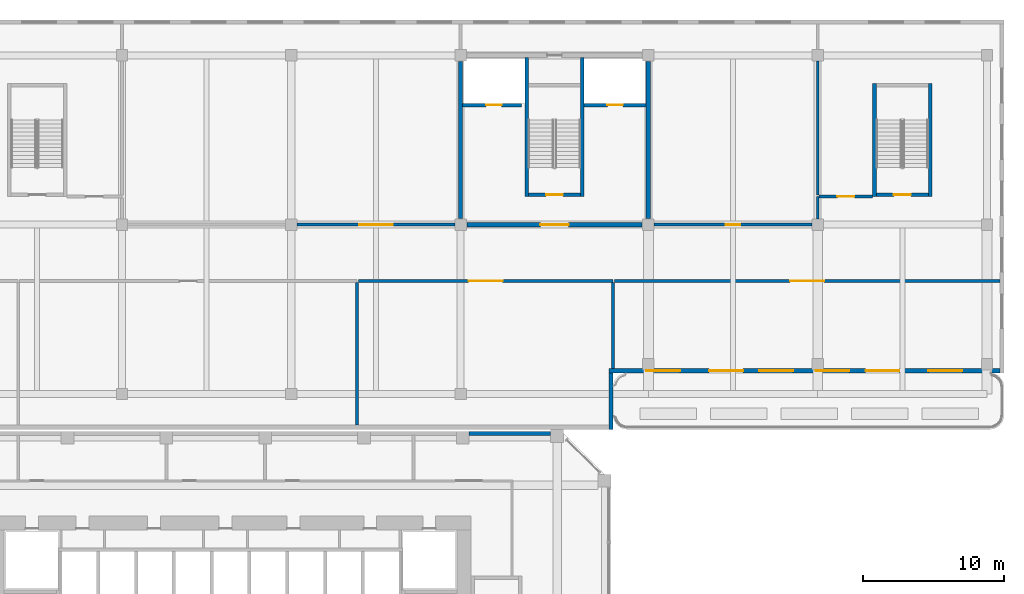
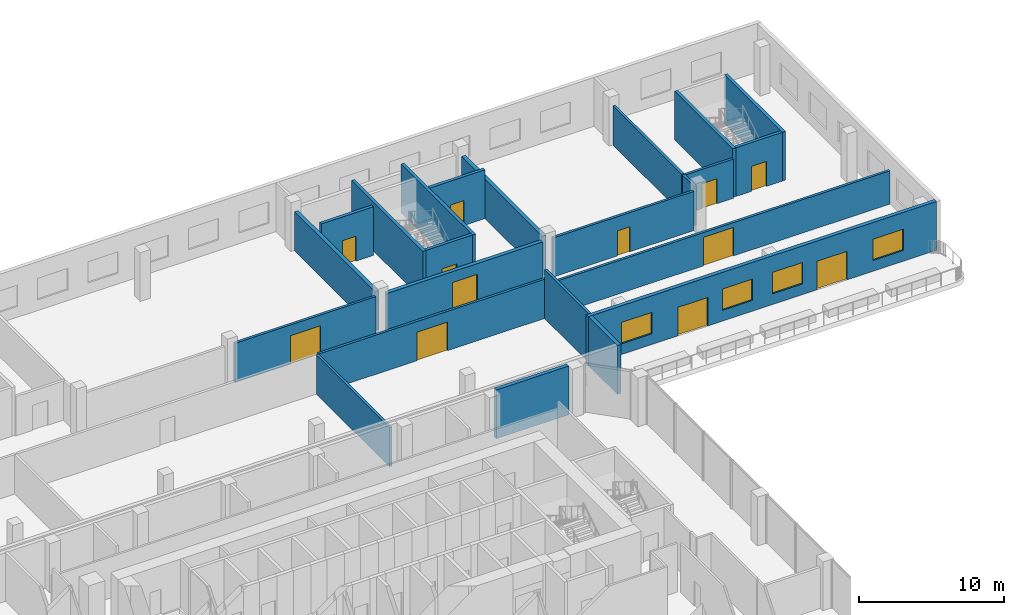
# One storey, part 24 of 35: 23 walls, 12 doors, 4 windows, 16 openings.
"""IFC4 building model written with IfcOpenShell, lengths in metres."""

import ifcopenshell
import ifcopenshell.guid

model = None  # the IFC model being written
_history = None  # IfcOwnerHistory: only IFC2X3 demands one
_inside = {}  # id of a spatial element -> (the spatial element, [elements in it])
_under = {}  # id of a project, library or spatial element -> (it, [spatial elements below it])
_declared = {}  # id of a project -> (the project, [libraries it declares])
_typed = {}  # id of a type object -> (the type object, [elements of that type])
_made_of = {}  # id of a material, layer set ... -> (it, [elements and type objects made of it])


def new_model(schema):
    """Start an empty IFC model of exactly this schema.

    Asked for "IFC4X3", IfcOpenShell would pick the latest addendum, in which some entities
    have other attributes; the version numbers below select the first issue.
    IFC2X3 requires an IfcOwnerHistory on every rooted entity: one is made here for all.
    """
    global model, _history
    if schema == "IFC4X3":
        model = ifcopenshell.file(schema_version=(4, 3, 0, 0))
    else:
        model = ifcopenshell.file(schema=schema)
    _inside.clear()
    _under.clear()
    _declared.clear()
    _typed.clear()
    _made_of.clear()
    _history = None
    if model.schema == "IFC2X3":
        org = make("IfcOrganization", Name="unknown")
        user = make(
            "IfcPersonAndOrganization",
            ThePerson=make("IfcPerson", FamilyName="unknown"),
            TheOrganization=org,
        )
        app = make(
            "IfcApplication",
            ApplicationDeveloper=org,
            Version="unknown",
            ApplicationFullName="unknown",
            ApplicationIdentifier="unknown",
        )
        _history = make(
            "IfcOwnerHistory",
            OwningUser=user,
            OwningApplication=app,
            ChangeAction="ADDED",
            CreationDate=0,
        )
    return model


def make(cls, **values):
    """One entity of the class cls with the attributes given. An attribute that is None is left unset."""
    return model.create_entity(
        cls, **{name: value for name, value in values.items() if value is not None}
    )


def rooted(cls, **values):
    """An entity with a GlobalId (a new one), such as an element, a storey or a relation."""
    return make(cls, GlobalId=ifcopenshell.guid.new(), OwnerHistory=_history, **values)


def si_unit(unit_type, name, prefix=None):
    """IfcSIUnit, for example si_unit("LENGTHUNIT", "METRE", prefix="MILLI")."""
    return make("IfcSIUnit", UnitType=unit_type, Prefix=prefix, Name=name)


def assignment(units):
    """IfcUnitAssignment: the units of a project."""
    return None if units is None else make("IfcUnitAssignment", Units=units)


def point(xyz):
    """IfcCartesianPoint."""
    return None if xyz is None else make("IfcCartesianPoint", Coordinates=xyz)


def direction(xyz):
    """IfcDirection."""
    return None if xyz is None else make("IfcDirection", DirectionRatios=xyz)


def frame(location, z_axis=None, x_axis=None):
    """IfcAxis2Placement3D, a coordinate frame: its origin and axes. An axis left out is left unset."""
    return make(
        "IfcAxis2Placement3D",
        Location=point(location),
        Axis=direction(z_axis),
        RefDirection=direction(x_axis),
    )


def frame_2d(location, x_axis=None):
    """IfcAxis2Placement2D, a coordinate frame in the plane: its origin and x axis."""
    return make(
        "IfcAxis2Placement2D", Location=point(location), RefDirection=direction(x_axis)
    )


def origin():
    """The frame at (0, 0, 0) with its axes left unset."""
    return frame((0.0, 0.0, 0.0))


def place(relative_to, where):
    """IfcLocalPlacement: puts the frame where relative to a parent placement (None: the world)."""
    return make(
        "IfcLocalPlacement", PlacementRelTo=relative_to, RelativePlacement=where
    )


def context(
    kind, dimensions, precision=None, world=None, true_north=None, identifier=None
):
    """IfcGeometricRepresentationContext, for example the 3D "Model" context."""
    return make(
        "IfcGeometricRepresentationContext",
        ContextIdentifier=identifier,
        ContextType=kind,
        CoordinateSpaceDimension=dimensions,
        Precision=precision,
        WorldCoordinateSystem=world,
        TrueNorth=true_north,
    )


def subcontext(parent, identifier, kind, view, scale=None):
    """IfcGeometricRepresentationSubContext, for example "Body" below "Model"."""
    return make(
        "IfcGeometricRepresentationSubContext",
        ContextIdentifier=identifier,
        ContextType=kind,
        ParentContext=parent,
        TargetScale=scale,
        TargetView=view,
    )


def project(units=None, contexts=None):
    """IfcProject with its units and contexts."""
    return rooted(
        "IfcProject",
        Name="project",
        RepresentationContexts=contexts,
        UnitsInContext=assignment(units),
    )


def spatial(cls, under=None, at=None, **own):
    """A site, building, storey or space (cls), placed at a placement, below another one or the project."""
    s = rooted(cls, ObjectPlacement=at, **own)
    if under is not None:
        _under.setdefault(under.id(), (under, []))[1].append(s)
    return s


def profile(cls, at=None, kind="AREA", **sizes):
    """A parametric profile (cls). Its sizes go by their IFC names, for example OverallWidth=200.0."""
    return make(cls, ProfileType=kind, Position=at, **sizes)


def rectangle(**sizes):
    """IfcRectangleProfileDef."""
    return profile("IfcRectangleProfileDef", **sizes)


def extrude(swept, where, along, depth):
    """IfcExtrudedAreaSolid: the profile swept, set in the frame where, extruded along a direction by depth."""
    return make(
        "IfcExtrudedAreaSolid",
        SweptArea=swept,
        Position=where,
        ExtrudedDirection=direction(along),
        Depth=depth,
    )


def shape(context_of_items, identifier, shape_type, items):
    """IfcShapeRepresentation: the items that make up one representation, for example the "Body"."""
    return make(
        "IfcShapeRepresentation",
        ContextOfItems=context_of_items,
        RepresentationIdentifier=identifier,
        RepresentationType=shape_type,
        Items=items,
    )


def source(mapping_origin, context_of_items, identifier, shape_type, items):
    """IfcRepresentationMap: a shape defined once, which mapped items show again and again."""
    return make(
        "IfcRepresentationMap",
        MappingOrigin=mapping_origin,
        MappedRepresentation=shape(context_of_items, identifier, shape_type, items),
    )


def transform(
    local_origin,
    x_axis=None,
    y_axis=None,
    z_axis=None,
    scale=None,
    scale2=None,
    scale3=None,
    uniform=True,
):
    """IfcCartesianTransformationOperator3D, or its non-uniform kind. x_axis, y_axis, z_axis: its Axis1, 2, 3."""
    if uniform:
        return make(
            "IfcCartesianTransformationOperator3D",
            Axis1=direction(x_axis),
            Axis2=direction(y_axis),
            LocalOrigin=point(local_origin),
            Scale=scale,
            Axis3=direction(z_axis),
        )
    return make(
        "IfcCartesianTransformationOperator3DnonUniform",
        Axis1=direction(x_axis),
        Axis2=direction(y_axis),
        LocalOrigin=point(local_origin),
        Scale=scale,
        Axis3=direction(z_axis),
        Scale2=scale2,
        Scale3=scale3,
    )


def mapped(mapping_source, mapping_target):
    """IfcMappedItem: shows the shape of a source again, moved by a transform."""
    return make(
        "IfcMappedItem", MappingSource=mapping_source, MappingTarget=mapping_target
    )


def material(Name=None, Category=None):
    """IfcMaterial."""
    return make("IfcMaterial", Name=Name, Category=Category)


def layer(
    of_material, thickness, ventilated=None, Name=None, Category=None, Priority=None
):
    """IfcMaterialLayer: one layer of a wall or slab, of a material (None: an air gap)."""
    return make(
        "IfcMaterialLayer",
        Material=of_material,
        LayerThickness=thickness,
        IsVentilated=ventilated,
        Name=Name,
        Category=Category,
        Priority=Priority,
    )


def layer_set(layers, Name=None):
    """IfcMaterialLayerSet."""
    return make("IfcMaterialLayerSet", MaterialLayers=layers, LayerSetName=Name)


def made_of(thing, what):
    """Note that an element or type object is made of a material, layer set ...; save() writes the relation."""
    if what is not None:
        _made_of.setdefault(what.id(), (what, []))[1].append(thing)
    return thing


def type_object(cls, material=None, **own):
    """A type object (cls), such as IfcWallType, which elements share."""
    return made_of(rooted(cls, **own), material)


def element(
    cls,
    number,
    at=None,
    inside=None,
    cuts=None,
    type_object=None,
    material=None,
    context=None,
    identifier="Body",
    shape_type=None,
    held_by="IfcProductDefinitionShape",
    body=None,
    shapes=None,
    **own,
):
    """One element of the class cls, such as IfcWall. Its Tag is "e" and its number.

    at: its placement. inside: the storey or other place that contains it. cuts: it is an
    opening in that element (IfcRelVoidsElement). A single representation is given by context,
    identifier, shape_type and body (its items); several are given by shapes. held_by: the class
    of the entity that holds the representations. save() writes the other relations.
    """
    e = rooted(cls, Tag="e%d" % number, ObjectPlacement=at, **own)
    if body is not None:
        shapes = [shape(context, identifier, shape_type, body)]
    if shapes is not None:
        e.Representation = make(held_by, Representations=shapes)
    if inside is not None:
        _inside.setdefault(inside.id(), (inside, []))[1].append(e)
    if cuts is not None:
        rooted(
            "IfcRelVoidsElement", RelatingBuildingElement=cuts, RelatedOpeningElement=e
        )
    if type_object is not None:
        _typed.setdefault(type_object.id(), (type_object, []))[1].append(e)
    return made_of(e, material)


def fill(opening, filler):
    """IfcRelFillsElement: the door or window that sits in an opening."""
    return rooted(
        "IfcRelFillsElement",
        RelatingOpeningElement=opening,
        RelatedBuildingElement=filler,
    )


def aggregate(whole, parts):
    """IfcRelAggregates: a whole, such as a stair, and the parts it consists of."""
    return rooted("IfcRelAggregates", RelatingObject=whole, RelatedObjects=parts)


def save(model, path):
    """Write the relations noted so far, then the file.

    IfcRelAggregates (storeys below a building ...), IfcRelContainedInSpatialStructure (elements
    in a storey), IfcRelDefinesByType, IfcRelAssociatesMaterial and IfcRelDeclares: one each for
    every whole, place, type object, material and project.
    """
    for whole, parts in _under.values():
        aggregate(whole, parts)
    for where, things in _inside.values():
        rooted(
            "IfcRelContainedInSpatialStructure",
            RelatedElements=things,
            RelatingStructure=where,
        )
    for kind, things in _typed.values():
        rooted("IfcRelDefinesByType", RelatedObjects=things, RelatingType=kind)
    for what, things in _made_of.values():
        rooted("IfcRelAssociatesMaterial", RelatedObjects=things, RelatingMaterial=what)
    for by, libraries in _declared.values():
        rooted("IfcRelDeclares", RelatingContext=by, RelatedDefinitions=libraries)
    model.write(path)


model = new_model("IFC4")

# Units and contexts
model_context = context("Model", 3, precision=1e-05, world=origin(), true_north=direction((0.0, 1.0)))
body_context = subcontext(model_context, "Body", "Model", "MODEL_VIEW")
ifc_project = project(units=[si_unit("LENGTHUNIT", "METRE"), si_unit("AREAUNIT", "SQUARE_METRE"), si_unit("VOLUMEUNIT", "CUBIC_METRE"), si_unit("PLANEANGLEUNIT", "RADIAN"), si_unit("MASSUNIT", "GRAM", prefix="KILO")], contexts=[model_context])

# Site, building, storey
site_placement = place(None, origin())
site = spatial("IfcSite", under=ifc_project, at=site_placement, CompositionType="ELEMENT")
building_placement = place(site_placement, origin())
building = spatial("IfcBuilding", under=site, at=building_placement, Name="Kilnfold Tower and Market Hall", CompositionType="ELEMENT")
storey_placement = place(building_placement, frame((0.0, 0.0, 13.5)))
storey = spatial("IfcBuildingStorey", under=building, at=storey_placement, Name="L02", CompositionType="ELEMENT", Elevation=13.5)

# Wall, opening, door
ifc_material_1 = material(Name="Concrete C50/60", Category="concrete")
ifc_layer_1 = layer(ifc_material_1, 0.25)
ifc_layer_set_1 = layer_set([ifc_layer_1], Name="Concrete C50/60")
wall_type_1 = type_object("IfcWallType", Name="HALL CORE WALL 250", PredefinedType="SHEAR", material=ifc_layer_set_1)
shared_shape_1 = source(origin(), body_context, "Body", "SweptSolid", [
    extrude(rectangle(XDim=3.699951171875, YDim=0.25, at=frame_2d((1.85009765625, 0.0))), origin(), (0.0, 0.0, 1.0), 4.10009765625),
])
wall_1_placement = place(storey_placement, frame((46.800048828125, 44.77490234375, 0.0), z_axis=(0.0, 0.0, 1.0), x_axis=(1.0, 0.0, 0.0)))
wall_1 = element("IfcWall", 1, at=wall_1_placement, inside=storey, type_object=wall_type_1, Name="Core wall MS6", PredefinedType="SHEAR", context=body_context, shape_type="MappedRepresentation", body=[
    mapped(shared_shape_1, transform((0.0, 0.0, 0.0))),
])
opening_1_placement = place(wall_1_placement, frame((1.25, 0.0, 0.0)))
opening_1 = element("IfcOpeningElement", 2, at=opening_1_placement, cuts=wall_1, Name="Opening MD9-60", PredefinedType="OPENING", context=body_context, shape_type="SweptSolid", body=[
    extrude(rectangle(XDim=1.199951171875, YDim=2.10009765625, at=frame_2d((0.60009765625, 1.050048828125))), frame((0.0, 0.135009765625, 0.0), z_axis=(0.0, -1.0, 0.0), x_axis=(1.0, 0.0, 0.0)), (0.0, 0.0, 1.0), 0.27001953125),
])
ifc_material_2 = material(Name="Steel S355", Category="steel")
door_type_1 = type_object("IfcDoorType", Name="HALL DOOR STAIR 1200X2100 FD60", OperationType="NOTDEFINED", PredefinedType="DOOR", material=ifc_material_2)
door_1_placement = place(opening_1_placement, origin())
door_1 = element("IfcDoor", 3, at=door_1_placement, inside=storey, type_object=door_type_1, Name="Door MD9-60", OperationType="DOUBLE_DOOR_SINGLE_SWING", OverallHeight=2.10009765625, OverallWidth=1.199951171875, PredefinedType="DOOR", context=body_context, shape_type="SweptSolid", body=[
    extrude(rectangle(XDim=1.199951171875, YDim=2.10009765625, at=frame_2d((0.60009765625, 1.050048828125))), frame((0.0, 0.02490234375, 0.0), z_axis=(0.0, -1.0, 0.0), x_axis=(1.0, 0.0, 0.0)), (0.0, 0.0, 1.0), 0.050048828125),
])
fill(opening_1, door_1)

shared_shape_2 = source(origin(), body_context, "Body", "SweptSolid", [
    extrude(rectangle(XDim=3.7001953125, YDim=0.25, at=frame_2d((1.85009765625, 0.0))), origin(), (0.0, 0.0, 1.0), 4.10009765625),
])
wall_2_placement = place(storey_placement, frame((25.85009765625, 44.77490234375, 0.0), z_axis=(0.0, 0.0, 1.0), x_axis=(-1.0, 0.0, 0.0)))
wall_2 = element("IfcWall", 4, at=wall_2_placement, inside=storey, type_object=wall_type_1, Name="Core wall MH3", PredefinedType="SHEAR", context=body_context, shape_type="MappedRepresentation", body=[
    mapped(shared_shape_2, transform((0.0, 0.0, 0.0))),
])
opening_2_placement = place(wall_2_placement, frame((1.25, 0.0, 0.0)))
opening_2 = element("IfcOpeningElement", 5, at=opening_2_placement, cuts=wall_2, Name="Opening MD9-60", PredefinedType="OPENING", context=body_context, shape_type="SweptSolid", body=[
    extrude(rectangle(XDim=1.199951171875, YDim=2.10009765625, at=frame_2d((0.60009765625, 1.050048828125))), frame((0.0, 0.135009765625, 0.0), z_axis=(0.0, -1.0, 0.0), x_axis=(1.0, 0.0, 0.0)), (0.0, 0.0, 1.0), 0.27001953125),
])
door_2_placement = place(opening_2_placement, origin())
door_2 = element("IfcDoor", 6, at=door_2_placement, inside=storey, type_object=door_type_1, Name="Door MD9-60", OperationType="DOUBLE_DOOR_SINGLE_SWING", OverallHeight=2.10009765625, OverallWidth=1.199951171875, PredefinedType="DOOR", context=body_context, shape_type="SweptSolid", body=[
    extrude(rectangle(XDim=1.199951171875, YDim=2.10009765625, at=frame_2d((0.60009765625, 1.050048828125))), frame((0.0, 0.02490234375, 0.0), z_axis=(0.0, -1.0, 0.0), x_axis=(1.0, 0.0, 0.0)), (0.0, 0.0, 1.0), 0.050048828125),
])
fill(opening_2, door_2)

# Walls
shared_shape_3 = source(origin(), body_context, "Body", "SweptSolid", [
    extrude(rectangle(XDim=8.0, YDim=0.25, at=frame_2d((4.0, 0.0))), origin(), (0.0, 0.0, 1.0), 4.10009765625),
])
for number, where, z_axis, x_axis, name in (
    (7, (46.675048828125, 44.64990234375, 0.0), (0.0, 0.0, 1.0), (0.0, 1.0, 0.0), "Core wall MS6"),
    (8, (50.625, 44.64990234375, 0.0), (0.0, 0.0, 1.0), (0.0, 1.0, 0.0), "Core wall MS6"),
):
    element("IfcWall", number, at=place(storey_placement, frame(where, z_axis=z_axis, x_axis=x_axis)), inside=storey, type_object=wall_type_1, Name=name, PredefinedType="SHEAR", context=body_context, shape_type="MappedRepresentation", body=[
        mapped(shared_shape_3, transform((0.0, 0.0, 0.0))),
    ])
shared_shape_4 = source(origin(), body_context, "Body", "SweptSolid", [
    extrude(rectangle(XDim=9.85009765625, YDim=0.25, at=frame_2d((4.925048828125, 0.0))), origin(), (0.0, 0.0, 1.0), 4.10009765625),
])
for number, where, z_axis, x_axis, name in (
    (9, (25.97509765625, 54.5, 0.0), (0.0, 0.0, 1.0), (0.0, -1.0, 0.0), "Core wall MH3"),
    (10, (22.02490234375, 54.5, 0.0), (0.0, 0.0, 1.0), (0.0, -1.0, 0.0), "Core wall MH3"),
):
    element("IfcWall", number, at=place(storey_placement, frame(where, z_axis=z_axis, x_axis=x_axis)), inside=storey, type_object=wall_type_1, Name=name, PredefinedType="SHEAR", context=body_context, shape_type="MappedRepresentation", body=[
        mapped(shared_shape_4, transform((0.0, 0.0, 0.0))),
    ])
ifc_material_3 = material(Name="Concrete C50/60", Category="concrete")
ifc_layer_2 = layer(ifc_material_3, 0.300048828125)
ifc_layer_set_2 = layer_set([ifc_layer_2], Name="Concrete C50/60")
wall_type_2 = type_object("IfcWallType", Name="HALL CORE WALL 300", PredefinedType="SHEAR", material=ifc_layer_set_2)
shared_shape_5 = source(origin(), body_context, "Body", "SweptSolid", [
    extrude(rectangle(XDim=11.099853515625, YDim=0.300048828125, at=frame_2d((5.5498046875, 0.0))), origin(), (0.0, 0.0, 1.0), 3.300048828125),
])
for number, where, z_axis, x_axis, name in (
    (11, (30.64990234375, 54.199951171875, 0.0), (0.0, 0.0, 1.0), (0.0, -1.0, 0.0), "Core wall MH3"),
    (12, (17.35009765625, 54.199951171875, 0.0), (0.0, 0.0, 1.0), (0.0, -1.0, 0.0), "Core wall MH3"),
):
    element("IfcWall", number, at=place(storey_placement, frame(where, z_axis=z_axis, x_axis=x_axis)), inside=storey, type_object=wall_type_2, Name=name, PredefinedType="SHEAR", context=body_context, shape_type="MappedRepresentation", body=[
        mapped(shared_shape_5, transform((0.0, 0.0, 0.0))),
    ])

# Wall, opening, door
shared_shape_6 = source(origin(), body_context, "Body", "SweptSolid", [
    extrude(rectangle(XDim=4.39990234375, YDim=0.25, at=frame_2d((2.199951171875, 0.0))), origin(), (0.0, 0.0, 1.0), 4.10009765625),
])
wall_3_placement = place(storey_placement, frame((30.5, 51.125, 0.0), z_axis=(0.0, 0.0, 1.0), x_axis=(-1.0, 0.0, 0.0)))
wall_3 = element("IfcWall", 13, at=wall_3_placement, inside=storey, type_object=wall_type_1, Name="Core wall MH3", PredefinedType="SHEAR", context=body_context, shape_type="MappedRepresentation", body=[
    mapped(shared_shape_6, transform((0.0, 0.0, 0.0))),
])
opening_3_placement = place(wall_3_placement, frame((1.64990234375, 0.0, 0.0)))
opening_3 = element("IfcOpeningElement", 14, at=opening_3_placement, cuts=wall_3, Name="Opening LD", PredefinedType="OPENING", context=body_context, shape_type="SweptSolid", body=[
    extrude(rectangle(XDim=1.10009765625, YDim=2.10009765625, at=frame_2d((0.550048828125, 1.050048828125))), frame((0.0, 0.135009765625, 0.0), z_axis=(0.0, -1.0, 0.0), x_axis=(1.0, 0.0, 0.0)), (0.0, 0.0, 1.0), 0.27001953125),
])
ifc_material_4 = material(Name="Steel S355", Category="steel")
door_type_2 = type_object("IfcDoorType", Name="HALL LANDING DOOR 1100X2100 FD60", OperationType="NOTDEFINED", PredefinedType="DOOR", material=ifc_material_4)
door_3_placement = place(opening_3_placement, origin())
door_3 = element("IfcDoor", 15, at=door_3_placement, inside=storey, type_object=door_type_2, Name="Door LD", OperationType="SLIDING_TO_LEFT", OverallHeight=2.10009765625, OverallWidth=1.10009765625, PredefinedType="DOOR", context=body_context, shape_type="SweptSolid", body=[
    extrude(rectangle(XDim=1.10009765625, YDim=2.10009765625, at=frame_2d((0.550048828125, 1.050048828125))), frame((0.0, 0.02490234375, 0.0), z_axis=(0.0, -1.0, 0.0), x_axis=(1.0, 0.0, 0.0)), (0.0, 0.0, 1.0), 0.050048828125),
])
fill(opening_3, door_3)

shared_shape_7 = source(origin(), body_context, "Body", "SweptSolid", [
    extrude(rectangle(XDim=4.14990234375, YDim=0.25, at=frame_2d((2.074951171875, 0.0))), origin(), (0.0, 0.0, 1.0), 4.10009765625),
])
wall_4_placement = place(storey_placement, frame((21.64990234375, 51.125, 0.0), z_axis=(0.0, 0.0, 1.0), x_axis=(-1.0, 0.0, 0.0)))
wall_4 = element("IfcWall", 16, at=wall_4_placement, inside=storey, type_object=wall_type_1, Name="Core wall MH3", PredefinedType="SHEAR", context=body_context, shape_type="MappedRepresentation", body=[
    mapped(shared_shape_7, transform((0.0, 0.0, 0.0))),
])
opening_4_placement = place(wall_4_placement, frame((1.39990234375, 0.0, 0.0)))
opening_4 = element("IfcOpeningElement", 17, at=opening_4_placement, cuts=wall_4, Name="Opening LD", PredefinedType="OPENING", context=body_context, shape_type="SweptSolid", body=[
    extrude(rectangle(XDim=1.10009765625, YDim=2.10009765625, at=frame_2d((0.550048828125, 1.050048828125))), frame((0.0, 0.135009765625, 0.0), z_axis=(0.0, -1.0, 0.0), x_axis=(1.0, 0.0, 0.0)), (0.0, 0.0, 1.0), 0.27001953125),
])
door_4_placement = place(opening_4_placement, origin())
door_4 = element("IfcDoor", 18, at=door_4_placement, inside=storey, type_object=door_type_2, Name="Door LD", OperationType="SLIDING_TO_LEFT", OverallHeight=2.10009765625, OverallWidth=1.10009765625, PredefinedType="DOOR", context=body_context, shape_type="SweptSolid", body=[
    extrude(rectangle(XDim=1.10009765625, YDim=2.10009765625, at=frame_2d((0.550048828125, 1.050048828125))), frame((0.0, 0.02490234375, 0.0), z_axis=(0.0, -1.0, 0.0), x_axis=(1.0, 0.0, 0.0)), (0.0, 0.0, 1.0), 0.050048828125),
])
fill(opening_4, door_4)

shared_shape_8 = source(origin(), body_context, "Body", "SweptSolid", [
    extrude(rectangle(XDim=12.39990234375, YDim=0.300048828125, at=frame_2d((6.199951171875, 0.0))), origin(), (0.0, 0.0, 1.0), 3.300048828125),
])
wall_5_placement = place(storey_placement, frame((30.199951171875, 42.64990234375, 0.0), z_axis=(0.0, 0.0, 1.0), x_axis=(-1.0, 0.0, 0.0)))
wall_5 = element("IfcWall", 19, at=wall_5_placement, inside=storey, type_object=wall_type_2, Name="Core wall MH3", PredefinedType="SHEAR", context=body_context, shape_type="MappedRepresentation", body=[
    mapped(shared_shape_8, transform((0.0, 0.0, 0.0))),
])
opening_5_placement = place(wall_5_placement, frame((5.199951171875, 0.0, 0.0)))
opening_5 = element("IfcOpeningElement", 20, at=opening_5_placement, cuts=wall_5, Name="Opening MD10-60", PredefinedType="OPENING", context=body_context, shape_type="SweptSolid", body=[
    extrude(rectangle(XDim=2.0, YDim=2.39990234375, at=frame_2d((1.0, 1.199951171875))), frame((0.0, 0.16015625, 0.0), z_axis=(0.0, -1.0, 0.0), x_axis=(1.0, 0.0, 0.0)), (0.0, 0.0, 1.0), 0.320068359375),
])
ifc_material_5 = material(Name="Aluminium glazing", Category="aluminium")
door_type_3 = type_object("IfcDoorType", Name="HALL DOOR LOBBY 2000X2400 FD60", OperationType="NOTDEFINED", PredefinedType="DOOR", material=ifc_material_5)
door_5_placement = place(opening_5_placement, origin())
door_5 = element("IfcDoor", 21, at=door_5_placement, inside=storey, type_object=door_type_3, Name="Door MD10-60", OperationType="DOUBLE_DOOR_SINGLE_SWING", OverallHeight=2.39990234375, OverallWidth=2.0, PredefinedType="DOOR", context=body_context, shape_type="SweptSolid", body=[
    extrude(rectangle(XDim=2.0, YDim=2.39990234375, at=frame_2d((1.0, 1.199951171875))), frame((0.0, 0.02490234375, 0.0), z_axis=(0.0, -1.0, 0.0), x_axis=(1.0, 0.0, 0.0)), (0.0, 0.0, 1.0), 0.050048828125),
])
fill(opening_5, door_5)

# Wall
ifc_material_6 = material(Name="Precast concrete C50/60", Category="concrete")
ifc_layer_3 = layer(ifc_material_6, 0.300048828125)
ifc_layer_set_3 = layer_set([ifc_layer_3], Name="Precast concrete C50/60")
wall_type_3 = type_object("IfcWallType", Name="PRECAST WALL 300", PredefinedType="SOLIDWALL", material=ifc_layer_set_3)
shared_shape_9 = source(origin(), body_context, "Body", "SweptSolid", [
    extrude(rectangle(XDim=5.78173828125, YDim=0.300048828125, at=frame_2d((2.890869140625, 0.0))), origin(), (0.0, 0.0, 1.0), 4.10009765625),
])
wall_6_placement = place(storey_placement, frame((23.731689453125, 27.85009765625, 0.0), z_axis=(0.0, 0.0, 1.0), x_axis=(-1.0, 0.0, 0.0)))
element("IfcWall", 22, at=wall_6_placement, inside=storey, type_object=wall_type_3, Name="Party wall L02 N", PredefinedType="SOLIDWALL", context=body_context, shape_type="MappedRepresentation", body=[
    mapped(shared_shape_9, transform((0.0, 0.0, 0.0))),
])

# Wall, openings, doors, windows
ifc_material_7 = material(Name="Concrete blockwork", Category="masonry")
ifc_layer_4 = layer(ifc_material_7, 0.300048828125)
ifc_layer_set_4 = layer_set([ifc_layer_4], Name="Concrete blockwork")
wall_type_4 = type_object("IfcWallType", Name="HALL EXTERNAL WALL 300 EI 60", PredefinedType="SOLIDWALL", material=ifc_layer_set_4)
shared_shape_10 = source(origin(), body_context, "Body", "SweptSolid", [
    extrude(rectangle(XDim=27.699951171875, YDim=0.300048828125, at=frame_2d((13.85009765625, 0.0))), origin(), (0.0, 0.0, 1.0), 4.10009765625),
])
wall_7_placement = place(storey_placement, frame((55.550048828125, 32.300048828125, 0.0), z_axis=(0.0, 0.0, 1.0), x_axis=(-1.0, 0.0, 0.0)))
wall_7 = element("IfcWall", 23, at=wall_7_placement, inside=storey, type_object=wall_type_4, Name="External wall MEW-L02.4", PredefinedType="SOLIDWALL", context=body_context, shape_type="MappedRepresentation", body=[
    mapped(shared_shape_10, transform((0.0, 0.0, 0.0))),
])
opening_6_placement = place(wall_7_placement, frame((7.110107421875, 0.0, 0.0)))
opening_6 = element("IfcOpeningElement", 24, at=opening_6_placement, cuts=wall_7, Name="Opening MED2", PredefinedType="OPENING", context=body_context, shape_type="SweptSolid", body=[
    extrude(rectangle(XDim=2.39990234375, YDim=2.39990234375, at=frame_2d((1.199951171875, 1.199951171875))), frame((0.0, 0.16015625, 0.0), z_axis=(0.0, -1.0, 0.0), x_axis=(1.0, 0.0, 0.0)), (0.0, 0.0, 1.0), 0.320068359375),
])
opening_7_placement = place(wall_7_placement, frame((18.18994140625, 0.0, 0.0)))
opening_7 = element("IfcOpeningElement", 25, at=opening_7_placement, cuts=wall_7, Name="Opening MED2", PredefinedType="OPENING", context=body_context, shape_type="SweptSolid", body=[
    extrude(rectangle(XDim=2.39990234375, YDim=2.39990234375, at=frame_2d((1.199951171875, 1.199951171875))), frame((0.0, 0.16015625, 0.0), z_axis=(0.0, -1.0, 0.0), x_axis=(1.0, 0.0, 0.0)), (0.0, 0.0, 1.0), 0.320068359375),
])
opening_8_placement = place(wall_7_placement, frame((2.64990234375, 0.0, 0.89990234375)))
opening_8 = element("IfcOpeningElement", 26, at=opening_8_placement, cuts=wall_7, Name="Opening MEN3", PredefinedType="OPENING", context=body_context, shape_type="SweptSolid", body=[
    extrude(rectangle(XDim=2.39990234375, YDim=1.800048828125, at=frame_2d((1.199951171875, 0.89990234375))), frame((0.0, 0.16015625, 0.0), z_axis=(0.0, -1.0, 0.0), x_axis=(1.0, 0.0, 0.0)), (0.0, 0.0, 1.0), 0.320068359375),
])
opening_9_placement = place(wall_7_placement, frame((10.64990234375, 0.0, 0.89990234375)))
opening_9 = element("IfcOpeningElement", 27, at=opening_9_placement, cuts=wall_7, Name="Opening MEN3", PredefinedType="OPENING", context=body_context, shape_type="SweptSolid", body=[
    extrude(rectangle(XDim=2.39990234375, YDim=1.800048828125, at=frame_2d((1.199951171875, 0.89990234375))), frame((0.0, 0.16015625, 0.0), z_axis=(0.0, -1.0, 0.0), x_axis=(1.0, 0.0, 0.0)), (0.0, 0.0, 1.0), 0.320068359375),
])
opening_10_placement = place(wall_7_placement, frame((14.64990234375, 0.0, 0.89990234375)))
opening_10 = element("IfcOpeningElement", 28, at=opening_10_placement, cuts=wall_7, Name="Opening MEN3", PredefinedType="OPENING", context=body_context, shape_type="SweptSolid", body=[
    extrude(rectangle(XDim=2.39990234375, YDim=1.800048828125, at=frame_2d((1.199951171875, 0.89990234375))), frame((0.0, 0.16015625, 0.0), z_axis=(0.0, -1.0, 0.0), x_axis=(1.0, 0.0, 0.0)), (0.0, 0.0, 1.0), 0.320068359375),
])
opening_11_placement = place(wall_7_placement, frame((22.64990234375, 0.0, 0.89990234375)))
opening_11 = element("IfcOpeningElement", 29, at=opening_11_placement, cuts=wall_7, Name="Opening MEN3", PredefinedType="OPENING", context=body_context, shape_type="SweptSolid", body=[
    extrude(rectangle(XDim=2.39990234375, YDim=1.800048828125, at=frame_2d((1.199951171875, 0.89990234375))), frame((0.0, 0.16015625, 0.0), z_axis=(0.0, -1.0, 0.0), x_axis=(1.0, 0.0, 0.0)), (0.0, 0.0, 1.0), 0.320068359375),
])
ifc_material_8 = material(Name="Aluminium glazing", Category="aluminium")
door_type_4 = type_object("IfcDoorType", Name="DECK DOOR 2400X2400", OperationType="NOTDEFINED", PredefinedType="DOOR", material=ifc_material_8)
door_6_placement = place(opening_6_placement, origin())
door_6 = element("IfcDoor", 30, at=door_6_placement, inside=storey, type_object=door_type_4, Name="Terrace door MED2", OperationType="DOUBLE_DOOR_SINGLE_SWING", OverallHeight=2.39990234375, OverallWidth=2.39990234375, PredefinedType="DOOR", context=body_context, shape_type="SweptSolid", body=[
    extrude(rectangle(XDim=2.39990234375, YDim=2.39990234375, at=frame_2d((1.199951171875, 1.199951171875))), frame((0.0, 0.02490234375, 0.0), z_axis=(0.0, -1.0, 0.0), x_axis=(1.0, 0.0, 0.0)), (0.0, 0.0, 1.0), 0.050048828125),
])
fill(opening_6, door_6)
door_7_placement = place(opening_7_placement, origin())
door_7 = element("IfcDoor", 31, at=door_7_placement, inside=storey, type_object=door_type_4, Name="Terrace door MED2", OperationType="DOUBLE_DOOR_SINGLE_SWING", OverallHeight=2.39990234375, OverallWidth=2.39990234375, PredefinedType="DOOR", context=body_context, shape_type="SweptSolid", body=[
    extrude(rectangle(XDim=2.39990234375, YDim=2.39990234375, at=frame_2d((1.199951171875, 1.199951171875))), frame((0.0, 0.02490234375, 0.0), z_axis=(0.0, -1.0, 0.0), x_axis=(1.0, 0.0, 0.0)), (0.0, 0.0, 1.0), 0.050048828125),
])
fill(opening_7, door_7)
ifc_material_9 = material(Name="Aluminium glazing", Category="aluminium")
window_type = type_object("IfcWindowType", Name="HALL WINDOW 2400X1800", PartitioningType="SINGLE_PANEL", PredefinedType="WINDOW", material=ifc_material_9)
window_1_placement = place(opening_8_placement, origin())
window_1 = element("IfcWindow", 32, at=window_1_placement, inside=storey, type_object=window_type, Name="Window upper", OverallHeight=1.800048828125, OverallWidth=2.39990234375, PartitioningType="SINGLE_PANEL", PredefinedType="WINDOW", context=body_context, shape_type="SweptSolid", body=[
    extrude(rectangle(XDim=2.39990234375, YDim=1.800048828125, at=frame_2d((1.199951171875, 0.89990234375))), frame((0.0, 0.030029296875, 0.0), z_axis=(0.0, -1.0, 0.0), x_axis=(1.0, 0.0, 0.0)), (0.0, 0.0, 1.0), 0.06005859375),
])
fill(opening_8, window_1)
window_2_placement = place(opening_9_placement, origin())
window_2 = element("IfcWindow", 33, at=window_2_placement, inside=storey, type_object=window_type, Name="Window upper", OverallHeight=1.800048828125, OverallWidth=2.39990234375, PartitioningType="SINGLE_PANEL", PredefinedType="WINDOW", context=body_context, shape_type="SweptSolid", body=[
    extrude(rectangle(XDim=2.39990234375, YDim=1.800048828125, at=frame_2d((1.199951171875, 0.89990234375))), frame((0.0, 0.030029296875, 0.0), z_axis=(0.0, -1.0, 0.0), x_axis=(1.0, 0.0, 0.0)), (0.0, 0.0, 1.0), 0.06005859375),
])
fill(opening_9, window_2)
window_3_placement = place(opening_10_placement, origin())
window_3 = element("IfcWindow", 34, at=window_3_placement, inside=storey, type_object=window_type, Name="Window upper", OverallHeight=1.800048828125, OverallWidth=2.39990234375, PartitioningType="SINGLE_PANEL", PredefinedType="WINDOW", context=body_context, shape_type="SweptSolid", body=[
    extrude(rectangle(XDim=2.39990234375, YDim=1.800048828125, at=frame_2d((1.199951171875, 0.89990234375))), frame((0.0, 0.030029296875, 0.0), z_axis=(0.0, -1.0, 0.0), x_axis=(1.0, 0.0, 0.0)), (0.0, 0.0, 1.0), 0.06005859375),
])
fill(opening_10, window_3)
window_4_placement = place(opening_11_placement, origin())
window_4 = element("IfcWindow", 35, at=window_4_placement, inside=storey, type_object=window_type, Name="Window upper", OverallHeight=1.800048828125, OverallWidth=2.39990234375, PartitioningType="SINGLE_PANEL", PredefinedType="WINDOW", context=body_context, shape_type="SweptSolid", body=[
    extrude(rectangle(XDim=2.39990234375, YDim=1.800048828125, at=frame_2d((1.199951171875, 0.89990234375))), frame((0.0, 0.030029296875, 0.0), z_axis=(0.0, -1.0, 0.0), x_axis=(1.0, 0.0, 0.0)), (0.0, 0.0, 1.0), 0.06005859375),
])
fill(opening_11, window_4)

# Walls
shared_shape_11 = source(origin(), body_context, "Body", "SweptSolid", [
    extrude(rectangle(XDim=4.0, YDim=0.300048828125, at=frame_2d((2.0, 0.0))), origin(), (0.0, 0.0, 1.0), 4.10009765625),
])
wall_8_placement = place(storey_placement, frame((28.0, 32.14990234375, 0.0), z_axis=(0.0, 0.0, 1.0), x_axis=(0.0, -1.0, 0.0)))
element("IfcWall", 36, at=wall_8_placement, inside=storey, type_object=wall_type_4, Name="External wall MEW-L02.5", PredefinedType="SOLIDWALL", context=body_context, shape_type="MappedRepresentation", body=[
    mapped(shared_shape_11, transform((0.0, 0.0, 0.0))),
])
ifc_material_10 = material(Name="Concrete blockwork", Category="masonry")
ifc_layer_5 = layer(ifc_material_10, 0.199951171875)
ifc_layer_set_5 = layer_set([ifc_layer_5], Name="Concrete blockwork")
wall_type_5 = type_object("IfcWallType", Name="HALL PARTITION 200 EI 120", PredefinedType="PARTITIONING", material=ifc_layer_set_5)
shared_shape_12 = source(origin(), body_context, "Body", "SweptSolid", [
    extrude(rectangle(XDim=9.5, YDim=0.199951171875, at=frame_2d((4.75, 0.0))), origin(), (0.0, 0.0, 1.0), 3.300048828125),
])
wall_9_placement = place(storey_placement, frame((42.64990234375, 54.25, 0.0), z_axis=(0.0, 0.0, 1.0), x_axis=(0.0, -1.0, 0.0)))
element("IfcWall", 37, at=wall_9_placement, inside=storey, type_object=wall_type_5, Name="Partition W-MH-L02.50", PredefinedType="PARTITIONING", context=body_context, shape_type="MappedRepresentation", body=[
    mapped(shared_shape_12, transform((0.0, 0.0, 0.0))),
])

# Wall, opening, door
ifc_material_11 = material(Name="Concrete blockwork", Category="masonry")
ifc_layer_6 = layer(ifc_material_11, 0.199951171875)
ifc_layer_set_6 = layer_set([ifc_layer_6], Name="Concrete blockwork")
wall_type_6 = type_object("IfcWallType", Name="HALL PARTITION 200 EI 60", PredefinedType="PARTITIONING", material=ifc_layer_set_6)
shared_shape_13 = source(origin(), body_context, "Body", "SweptSolid", [
    extrude(rectangle(XDim=11.199951171875, YDim=0.199951171875, at=frame_2d((5.60009765625, 0.0))), origin(), (0.0, 0.0, 1.0), 3.300048828125),
])
wall_10_placement = place(storey_placement, frame((5.75, 42.64990234375, 0.0), z_axis=(0.0, 0.0, 1.0), x_axis=(1.0, 0.0, 0.0)))
wall_10 = element("IfcWall", 38, at=wall_10_placement, inside=storey, type_object=wall_type_6, Name="Partition W-MH-L02.41", PredefinedType="PARTITIONING", context=body_context, shape_type="MappedRepresentation", body=[
    mapped(shared_shape_13, transform((0.0, 0.0, 0.0))),
])
opening_12_placement = place(wall_10_placement, frame((4.39990234375, 0.0, 0.0)))
opening_12 = element("IfcOpeningElement", 39, at=opening_12_placement, cuts=wall_10, Name="Opening MD7-60", PredefinedType="OPENING", context=body_context, shape_type="SweptSolid", body=[
    extrude(rectangle(XDim=2.39990234375, YDim=2.39990234375, at=frame_2d((1.199951171875, 1.199951171875))), frame((0.0, 0.10986328125, 0.0), z_axis=(0.0, -1.0, 0.0), x_axis=(1.0, 0.0, 0.0)), (0.0, 0.0, 1.0), 0.219970703125),
])
ifc_material_12 = material(Name="Aluminium glazing", Category="aluminium")
door_type_5 = type_object("IfcDoorType", Name="HALL DOOR HALL 2400X2400 FD60", OperationType="NOTDEFINED", PredefinedType="DOOR", material=ifc_material_12)
door_8_placement = place(opening_12_placement, origin())
door_8 = element("IfcDoor", 40, at=door_8_placement, inside=storey, type_object=door_type_5, Name="Door MD7-60", OperationType="DOUBLE_DOOR_SINGLE_SWING", OverallHeight=2.39990234375, OverallWidth=2.39990234375, PredefinedType="DOOR", context=body_context, shape_type="SweptSolid", body=[
    extrude(rectangle(XDim=2.39990234375, YDim=2.39990234375, at=frame_2d((1.199951171875, 1.199951171875))), frame((0.0, 0.02490234375, 0.0), z_axis=(0.0, -1.0, 0.0), x_axis=(1.0, 0.0, 0.0)), (0.0, 0.0, 1.0), 0.050048828125),
])
fill(opening_12, door_8)

wall_11_placement = place(storey_placement, frame((31.050048828125, 42.64990234375, 0.0), z_axis=(0.0, 0.0, 1.0), x_axis=(1.0, 0.0, 0.0)))
wall_11 = element("IfcWall", 41, at=wall_11_placement, inside=storey, type_object=wall_type_6, Name="Partition W-MH-L02.47", PredefinedType="PARTITIONING", context=body_context, shape_type="MappedRepresentation", body=[
    mapped(shared_shape_13, transform((0.0, 0.0, 0.0))),
])
opening_13_placement = place(wall_11_placement, frame((5.10009765625, 0.0, 0.0)))
opening_13 = element("IfcOpeningElement", 42, at=opening_13_placement, cuts=wall_11, Name="Opening MD5-60", PredefinedType="OPENING", context=body_context, shape_type="SweptSolid", body=[
    extrude(rectangle(XDim=1.0, YDim=2.10009765625, at=frame_2d((0.5, 1.050048828125))), frame((0.0, 0.10986328125, 0.0), z_axis=(0.0, -1.0, 0.0), x_axis=(1.0, 0.0, 0.0)), (0.0, 0.0, 1.0), 0.219970703125),
])
ifc_material_13 = material(Name="Timber", Category="wood")
door_type_6 = type_object("IfcDoorType", Name="HALL DOOR OFFICE 1000X2100 FD60", OperationType="NOTDEFINED", PredefinedType="DOOR", material=ifc_material_13)
door_9_placement = place(opening_13_placement, origin())
door_9 = element("IfcDoor", 43, at=door_9_placement, inside=storey, type_object=door_type_6, Name="Door MD5-60", OperationType="SINGLE_SWING_RIGHT", OverallHeight=2.10009765625, OverallWidth=1.0, PredefinedType="DOOR", context=body_context, shape_type="SweptSolid", body=[
    extrude(rectangle(XDim=1.0, YDim=2.10009765625, at=frame_2d((0.5, 1.050048828125))), frame((0.0, 0.02490234375, 0.0), z_axis=(0.0, -1.0, 0.0), x_axis=(1.0, 0.0, 0.0)), (0.0, 0.0, 1.0), 0.050048828125),
])
fill(opening_13, door_9)

# Wall
shared_shape_14 = source(origin(), body_context, "Body", "SweptSolid", [
    extrude(rectangle(XDim=10.10009765625, YDim=0.199951171875, at=frame_2d((5.050048828125, 0.0))), origin(), (0.0, 0.0, 1.0), 3.300048828125),
])
wall_12_placement = place(storey_placement, frame((10.0, 38.550048828125, 0.0), z_axis=(0.0, 0.0, 1.0), x_axis=(0.0, -1.0, 0.0)))
element("IfcWall", 44, at=wall_12_placement, inside=storey, type_object=wall_type_5, Name="Partition W-MH-L02.43", PredefinedType="PARTITIONING", context=body_context, shape_type="MappedRepresentation", body=[
    mapped(shared_shape_14, transform((0.0, 0.0, 0.0))),
])

# Wall, opening, door
shared_shape_15 = source(origin(), body_context, "Body", "SweptSolid", [
    extrude(rectangle(XDim=18.0498046875, YDim=0.199951171875, at=frame_2d((9.02490234375, 0.0))), origin(), (0.0, 0.0, 1.0), 3.300048828125),
])
wall_13_placement = place(storey_placement, frame((28.14990234375, 38.64990234375, 0.0), z_axis=(0.0, 0.0, 1.0), x_axis=(-1.0, 0.0, 0.0)))
wall_13 = element("IfcWall", 45, at=wall_13_placement, inside=storey, type_object=wall_type_6, Name="Partition W-MH-L02.45", PredefinedType="PARTITIONING", context=body_context, shape_type="MappedRepresentation", body=[
    mapped(shared_shape_15, transform((0.0, 0.0, 0.0))),
])
opening_14_placement = place(wall_13_placement, frame((7.824951171875, 0.0, 0.0)))
opening_14 = element("IfcOpeningElement", 46, at=opening_14_placement, cuts=wall_13, Name="Opening MD7-60", PredefinedType="OPENING", context=body_context, shape_type="SweptSolid", body=[
    extrude(rectangle(XDim=2.39990234375, YDim=2.39990234375, at=frame_2d((1.199951171875, 1.199951171875))), frame((0.0, 0.10986328125, 0.0), z_axis=(0.0, -1.0, 0.0), x_axis=(1.0, 0.0, 0.0)), (0.0, 0.0, 1.0), 0.219970703125),
])
door_10_placement = place(opening_14_placement, origin())
door_10 = element("IfcDoor", 47, at=door_10_placement, inside=storey, type_object=door_type_5, Name="Door MD7-60", OperationType="DOUBLE_DOOR_SINGLE_SWING", OverallHeight=2.39990234375, OverallWidth=2.39990234375, PredefinedType="DOOR", context=body_context, shape_type="SweptSolid", body=[
    extrude(rectangle(XDim=2.39990234375, YDim=2.39990234375, at=frame_2d((1.199951171875, 1.199951171875))), frame((0.0, 0.02490234375, 0.0), z_axis=(0.0, -1.0, 0.0), x_axis=(1.0, 0.0, 0.0)), (0.0, 0.0, 1.0), 0.050048828125),
])
fill(opening_14, door_10)

shared_shape_16 = source(origin(), body_context, "Body", "SweptSolid", [
    extrude(rectangle(XDim=3.800048828125, YDim=0.199951171875, at=frame_2d((1.89990234375, 0.0))), origin(), (0.0, 0.0, 1.0), 3.300048828125),
])
wall_14_placement = place(storey_placement, frame((42.75, 44.64990234375, 0.0), z_axis=(0.0, 0.0, 1.0), x_axis=(1.0, 0.0, 0.0)))
wall_14 = element("IfcWall", 48, at=wall_14_placement, inside=storey, type_object=wall_type_5, Name="Partition W-MH-L02.49", PredefinedType="PARTITIONING", context=body_context, shape_type="MappedRepresentation", body=[
    mapped(shared_shape_16, transform((0.0, 0.0, 0.0))),
])
opening_15_placement = place(wall_14_placement, frame((1.300048828125, 0.0, 0.0)))
opening_15 = element("IfcOpeningElement", 49, at=opening_15_placement, cuts=wall_14, Name="Opening MD3-120", PredefinedType="OPENING", context=body_context, shape_type="SweptSolid", body=[
    extrude(rectangle(XDim=1.199951171875, YDim=2.10009765625, at=frame_2d((0.60009765625, 1.050048828125))), frame((0.0, 0.10986328125, 0.0), z_axis=(0.0, -1.0, 0.0), x_axis=(1.0, 0.0, 0.0)), (0.0, 0.0, 1.0), 0.219970703125),
])
ifc_material_14 = material(Name="Steel S355", Category="steel")
door_type_7 = type_object("IfcDoorType", Name="HALL DOOR SERVICE 1200X2100 FD120", OperationType="NOTDEFINED", PredefinedType="DOOR", material=ifc_material_14)
door_11_placement = place(opening_15_placement, origin())
door_11 = element("IfcDoor", 50, at=door_11_placement, inside=storey, type_object=door_type_7, Name="Door MD3-120", OperationType="SINGLE_SWING_LEFT", OverallHeight=2.10009765625, OverallWidth=1.199951171875, PredefinedType="DOOR", context=body_context, shape_type="SweptSolid", body=[
    extrude(rectangle(XDim=1.199951171875, YDim=2.10009765625, at=frame_2d((0.60009765625, 1.050048828125))), frame((0.0, 0.02490234375, 0.0), z_axis=(0.0, -1.0, 0.0), x_axis=(1.0, 0.0, 0.0)), (0.0, 0.0, 1.0), 0.050048828125),
])
fill(opening_15, door_11)

# Walls
shared_shape_17 = source(origin(), body_context, "Body", "SweptSolid", [
    extrude(rectangle(XDim=1.599853515625, YDim=0.199951171875, at=frame_2d((0.7998046875, 0.0))), origin(), (0.0, 0.0, 1.0), 3.300048828125),
])
wall_15_placement = place(storey_placement, frame((42.64990234375, 43.050048828125, 0.0), z_axis=(0.0, 0.0, 1.0), x_axis=(0.0, 1.0, 0.0)))
element("IfcWall", 51, at=wall_15_placement, inside=storey, type_object=wall_type_6, Name="Partition W-MH-L02.48", PredefinedType="PARTITIONING", context=body_context, shape_type="MappedRepresentation", body=[
    mapped(shared_shape_17, transform((0.0, 0.0, 0.0))),
])
shared_shape_18 = source(origin(), body_context, "Body", "SweptSolid", [
    extrude(rectangle(XDim=6.10009765625, YDim=0.199951171875, at=frame_2d((3.050048828125, 0.0))), origin(), (0.0, 0.0, 1.0), 4.10009765625),
])
wall_16_placement = place(storey_placement, frame((28.14990234375, 38.550048828125, 0.0), z_axis=(0.0, 0.0, 1.0), x_axis=(0.0, -1.0, 0.0)))
element("IfcWall", 52, at=wall_16_placement, inside=storey, type_object=wall_type_6, Name="Partition W-MH-L02.46", PredefinedType="PARTITIONING", context=body_context, shape_type="MappedRepresentation", body=[
    mapped(shared_shape_18, transform((0.0, 0.0, 0.0))),
])

# Wall, opening, door
shared_shape_19 = source(origin(), body_context, "Body", "SweptSolid", [
    extrude(rectangle(XDim=27.300048828125, YDim=0.199951171875, at=frame_2d((13.64990234375, 0.0))), origin(), (0.0, 0.0, 1.0), 2.800048828125),
])
wall_17_placement = place(storey_placement, frame((55.550048828125, 38.64990234375, 0.0), z_axis=(0.0, 0.0, 1.0), x_axis=(-1.0, 0.0, 0.0)))
wall_17 = element("IfcWall", 53, at=wall_17_placement, inside=storey, type_object=wall_type_6, Name="Partition W-MH-L02.52", PredefinedType="PARTITIONING", context=body_context, shape_type="MappedRepresentation", body=[
    mapped(shared_shape_19, transform((0.0, 0.0, 0.0))),
])
opening_16_placement = place(wall_17_placement, frame((12.449951171875, 0.0, 0.0)))
opening_16 = element("IfcOpeningElement", 54, at=opening_16_placement, cuts=wall_17, Name="Opening MD7-60", PredefinedType="OPENING", context=body_context, shape_type="SweptSolid", body=[
    extrude(rectangle(XDim=2.39990234375, YDim=2.39990234375, at=frame_2d((1.199951171875, 1.199951171875))), frame((0.0, 0.10986328125, 0.0), z_axis=(0.0, -1.0, 0.0), x_axis=(1.0, 0.0, 0.0)), (0.0, 0.0, 1.0), 0.219970703125),
])
door_12_placement = place(opening_16_placement, origin())
door_12 = element("IfcDoor", 55, at=door_12_placement, inside=storey, type_object=door_type_5, Name="Door MD7-60", OperationType="DOUBLE_DOOR_SINGLE_SWING", OverallHeight=2.39990234375, OverallWidth=2.39990234375, PredefinedType="DOOR", context=body_context, shape_type="SweptSolid", body=[
    extrude(rectangle(XDim=2.39990234375, YDim=2.39990234375, at=frame_2d((1.199951171875, 1.199951171875))), frame((0.0, 0.02490234375, 0.0), z_axis=(0.0, -1.0, 0.0), x_axis=(1.0, 0.0, 0.0)), (0.0, 0.0, 1.0), 0.050048828125),
])
fill(opening_16, door_12)

save(model, "model.ifc")
